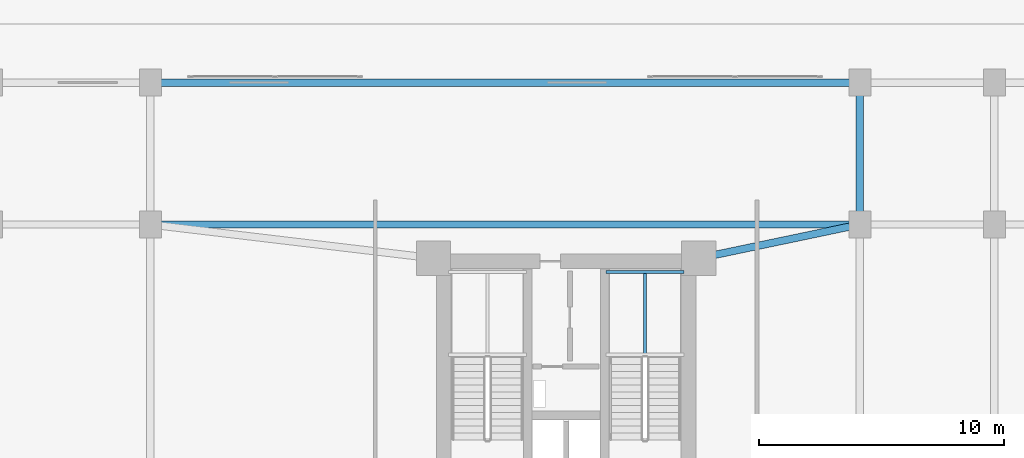
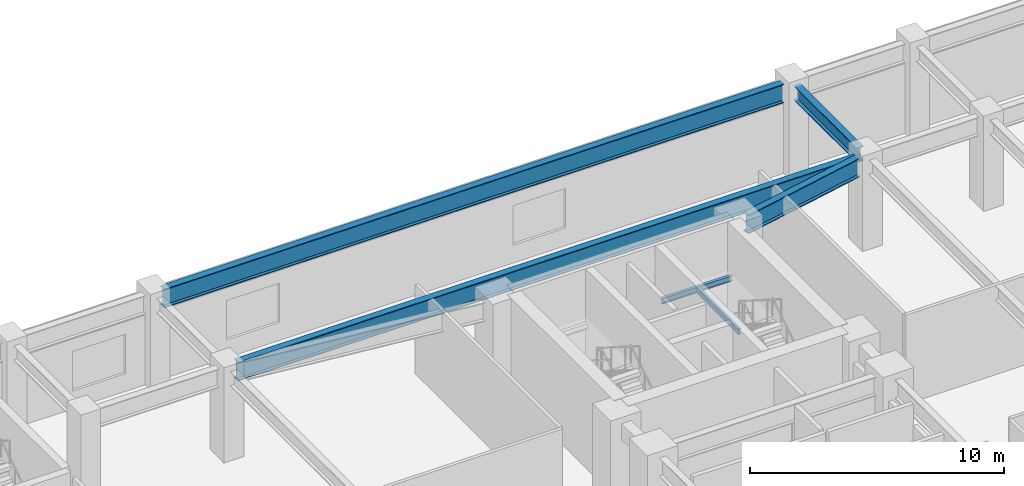
# One storey, part 3 of 10: 6 beams.
"""IFC4 building model written with IfcOpenShell, lengths in metres."""

from ifc_helpers import new_model, si_unit, direction, frame, origin, origin_2d, place, context, subcontext, project, spatial, i_section, extrude, material, material_profile, profile_set, type_object, element, save


model = new_model("IFC4")

# Units and contexts
model_context = context("Model", 3, precision=1e-05, world=origin(), true_north=direction((0.0, 1.0)))
body_context = subcontext(model_context, "Body", "Model", "MODEL_VIEW")
ifc_project = project(units=[si_unit("LENGTHUNIT", "METRE"), si_unit("AREAUNIT", "SQUARE_METRE"), si_unit("VOLUMEUNIT", "CUBIC_METRE"), si_unit("PLANEANGLEUNIT", "RADIAN"), si_unit("MASSUNIT", "GRAM", prefix="KILO")], contexts=[model_context])

# Site, building, storey
site_placement = place(None, origin())
site = spatial("IfcSite", under=ifc_project, at=site_placement, CompositionType="ELEMENT")
building_placement = place(site_placement, origin())
building = spatial("IfcBuilding", under=site, at=building_placement, Name="Varnakorn Sky Granary", CompositionType="ELEMENT")
storey_placement = place(building_placement, frame((0.0, 0.0, 9.199951171875)))
storey = spatial("IfcBuildingStorey", under=building, at=storey_placement, Name="L02", CompositionType="ELEMENT", Elevation=9.199951171875)

# Beams
ifc_material = material(Name="Steel S355JR", Category="steel")
ifc_material_profile_1 = material_profile(ifc_material, i_section(OverallWidth=0.135009765625, OverallDepth=0.27001953125, WebThickness=0.006591796875, FlangeThickness=0.01025390625, at=origin_2d()), Name="IPE 270")
ifc_profile_set_1 = profile_set([ifc_material_profile_1], Name="Steel S355JR")
beam_type_1 = type_object("IfcBeamType", Name="BM-LND-270", PredefinedType="BEAM", material=ifc_profile_set_1)
beam_1_placement = place(storey_placement, frame((4.6201171875, 12.06005859375, 1.965087890625), z_axis=(1.0, 0.0, 0.0), x_axis=(0.0, 1.0, 0.0)))
element("IfcBeam", 1, at=beam_1_placement, inside=storey, type_object=beam_type_1, Name="Stair ST-2 Landing Trimmer Beam B L02-1", PredefinedType="BEAM", context=body_context, shape_type="SweptSolid", body=[
    extrude(i_section(OverallWidth=0.135009765625, OverallDepth=0.27001953125, WebThickness=0.006591796875, FlangeThickness=0.01025390625, at=origin_2d()), origin(), (0.0, 0.0, 1.0), 3.199951171875),
])
beam_2_placement = place(storey_placement, frame((6.219970703125, 8.679931640625, 1.965087890625), z_axis=(0.0, 1.0, 0.0), x_axis=(-1.0, 0.0, 0.0)))
element("IfcBeam", 2, at=beam_2_placement, inside=storey, type_object=beam_type_1, Name="Stair ST-2 Landing Cross Beam C L02-1", PredefinedType="BEAM", context=body_context, shape_type="SweptSolid", body=[
    extrude(i_section(OverallWidth=0.135009765625, OverallDepth=0.27001953125, WebThickness=0.006591796875, FlangeThickness=0.01025390625, at=origin_2d()), origin(), (0.0, 0.0, 1.0), 3.380126953125),
])
ifc_material_profile_2 = material_profile(ifc_material, i_section(OverallWidth=0.300048828125, OverallDepth=0.699951171875, WebThickness=0.01708984375, FlangeThickness=0.031982421875, at=origin_2d()), Name="HE 700 B")
ifc_profile_set_2 = profile_set([ifc_material_profile_2], Name="Steel S355JR")
beam_type_2 = type_object("IfcBeamType", Name="BM-PG-700", PredefinedType="T_BEAM", material=ifc_profile_set_2)
beam_3_placement = place(storey_placement, frame((15.0, 14.419921875, 3.929931640625), z_axis=(0.0, 1.0, 0.0), x_axis=(-1.0, 0.0, 0.0)))
element("IfcBeam", 3, at=beam_3_placement, inside=storey, type_object=beam_type_2, Name="Podium Y-Girder GY25 L02", PredefinedType="T_BEAM", context=body_context, shape_type="SweptSolid", body=[
    extrude(i_section(OverallWidth=0.300048828125, OverallDepth=0.699951171875, WebThickness=0.01708984375, FlangeThickness=0.031982421875, at=origin_2d()), origin(), (0.0, 0.0, 1.0), 4.9599609375),
])
ifc_material_profile_3 = material_profile(ifc_material, i_section(OverallWidth=0.300048828125, OverallDepth=0.89990234375, WebThickness=0.0185546875, FlangeThickness=0.034912109375, at=origin_2d()), Name="HE 900 B")
ifc_profile_set_3 = profile_set([ifc_material_profile_3], Name="Steel S355JR")
beam_type_3 = type_object("IfcBeamType", Name="BM-PG-900", PredefinedType="BEAM", material=ifc_profile_set_3)
for number, where, z_axis, x_axis, name in (
    (4, (-13.580078125, 14.0, 3.830078125), (1.0, 0.0, 0.0), (0.0, 1.0, 0.0), "Podium X-Girder GX10 L02"),
    (5, (-13.580078125, 19.800048828125, 3.830078125), (1.0, 0.0, 0.0), (0.0, 1.0, 0.0), "Podium X-Girder GX15 L02"),
):
    element("IfcBeam", number, at=place(storey_placement, frame(where, z_axis=z_axis, x_axis=x_axis)), inside=storey, type_object=beam_type_3, Name=name, PredefinedType="BEAM", context=body_context, shape_type="SweptSolid", body=[
        extrude(i_section(OverallWidth=0.300048828125, OverallDepth=0.89990234375, WebThickness=0.0185546875, FlangeThickness=0.034912109375, at=origin_2d()), origin(), (0.0, 0.0, 1.0), 28.16015625),
    ])
beam_4_placement = place(storey_placement, frame((14.5888671875, 13.913818359375, 3.830078125), z_axis=(-0.978708882908, -0.205253313045, 0.0), x_axis=(0.205253313045, -0.978708882908, 0.0)))
element("IfcBeam", 6, at=beam_4_placement, inside=storey, type_object=beam_type_3, Name="Podium Core Tie Girder 3 L02", PredefinedType="BEAM", context=body_context, shape_type="SweptSolid", body=[
    extrude(i_section(OverallWidth=0.300048828125, OverallDepth=0.89990234375, WebThickness=0.0185546875, FlangeThickness=0.034912109375, at=origin_2d()), origin(), (0.0, 0.0, 1.0), 5.883056640625),
])

save(model, "model.ifc")
